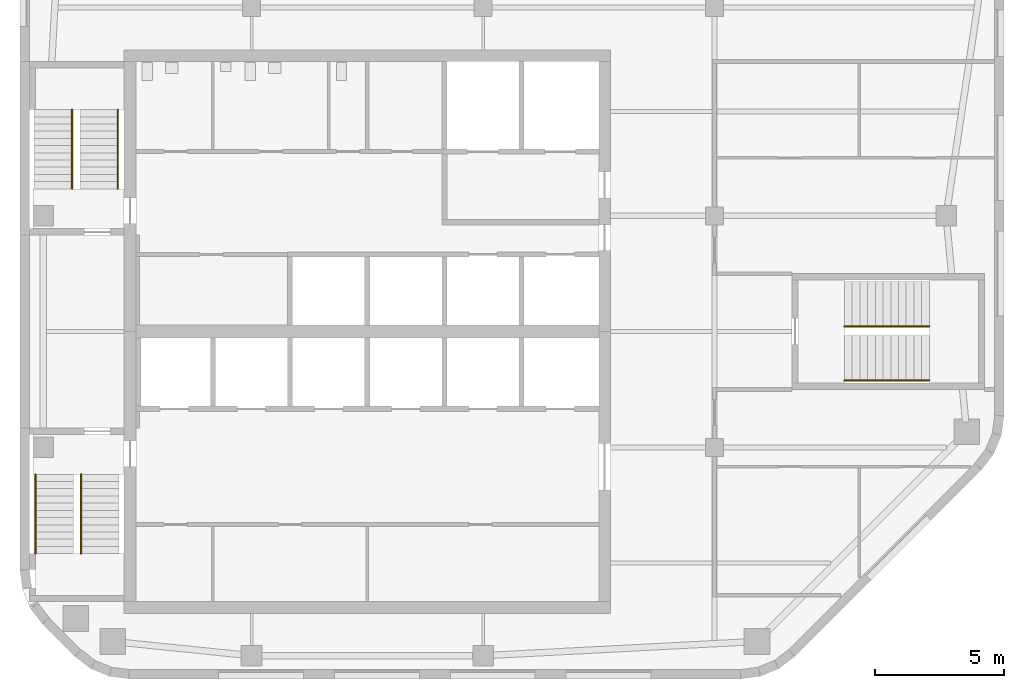
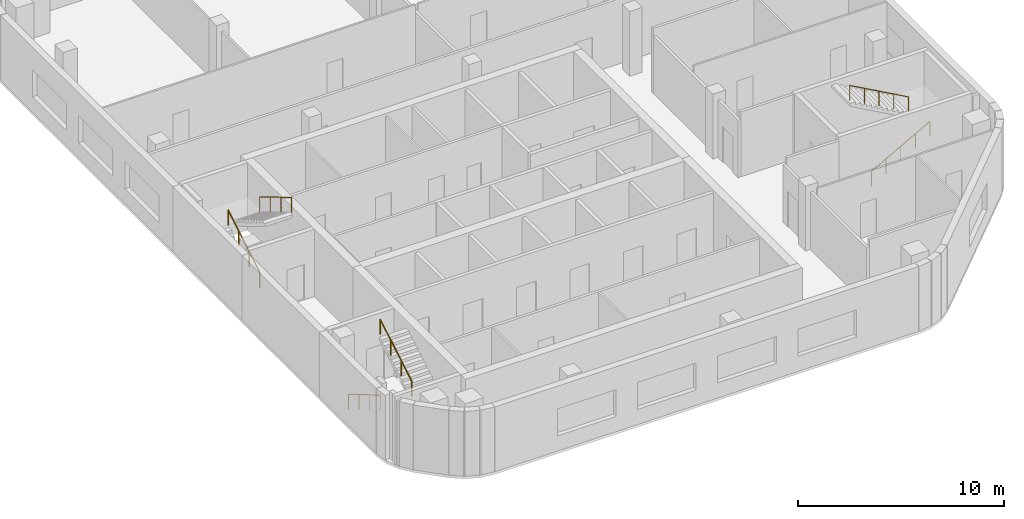
# One storey, part 6 of 7: 6 railings, 3 elements without a shape of their own.
"""IFC4 building model written with IfcOpenShell, lengths in metres."""

from ifc_helpers import new_model, si_unit, direction, frame, origin, origin_2d, place, context, subcontext, project, spatial, circle, extrude, material, type_object, element, aggregate, save


model = new_model("IFC4")

# Units and contexts
model_context = context("Model", 3, precision=1e-05, world=origin(), true_north=direction((0.0, 1.0)))
body_context = subcontext(model_context, "Body", "Model", "MODEL_VIEW")
ifc_project = project(units=[si_unit("LENGTHUNIT", "METRE"), si_unit("AREAUNIT", "SQUARE_METRE"), si_unit("VOLUMEUNIT", "CUBIC_METRE"), si_unit("PLANEANGLEUNIT", "RADIAN"), si_unit("MASSUNIT", "GRAM", prefix="KILO")], contexts=[model_context])

# Site, building, storey
site_placement = place(None, origin())
site = spatial("IfcSite", under=ifc_project, at=site_placement, CompositionType="ELEMENT")
building_placement = place(site_placement, origin())
building = spatial("IfcBuilding", under=site, at=building_placement, Name="Cinnabar Reach Civic Tower", CompositionType="ELEMENT")
storey_placement = place(building_placement, frame((0.0, 0.0, 267.0)))
storey = spatial("IfcBuildingStorey", under=building, at=storey_placement, Name="L64", CompositionType="ELEMENT", Elevation=267.0)

# Stair, railings
ifc_material_1 = material(Name="Concrete C40/50", Category="concrete")
stair_type = type_object("IfcStairType", Name="T1 Exit stair, half-turn", PredefinedType="HALF_TURN_STAIR", material=ifc_material_1)
stair_1_placement = place(storey_placement, origin())
stair_1 = element("IfcStair", 1, at=stair_1_placement, inside=storey, type_object=stair_type, Name="Stair T1-S1", PredefinedType="HALF_TURN_STAIR")
ifc_material_2 = material(Name="Stainless steel tube", Category="steel")
railing_type = type_object("IfcRailingType", Name="T1 Stair handrail, stainless tube 48", PredefinedType="HANDRAIL", material=ifc_material_2)
railing_1_placement = place(storey_placement, frame((0.6, 25.95, 0.1667)))
railing_1 = element("IfcRailing", 2, at=railing_1_placement, type_object=railing_type, Name="T1-S1 handrail 1", PredefinedType="HANDRAIL", context=body_context, shape_type="SweptSolid", body=[
    extrude(circle(Radius=0.024, at=origin_2d()), frame((0.0, 0.0, 0.876), z_axis=(0.0, -0.859296971757, 0.511476992962), x_axis=(1.0, 0.0, 0.0)), (0.0, 0.0, 1.0), 3.5843),
    extrude(circle(Radius=0.021, at=origin_2d()), origin(), (0.0, 0.0, 1.0), 0.852),
    extrude(circle(Radius=0.021, at=origin_2d()), frame((0.0, -1.0267, 0.6111)), (0.0, 0.0, 1.0), 0.852),
    extrude(circle(Radius=0.021, at=origin_2d()), frame((0.0, -2.0533, 1.2222)), (0.0, 0.0, 1.0), 0.852),
    extrude(circle(Radius=0.021, at=origin_2d()), frame((0.0, -3.08, 1.8333)), (0.0, 0.0, 1.0), 0.852),
])
railing_2_placement = place(storey_placement, frame((2.375, 22.87, 2.1667)))
railing_2 = element("IfcRailing", 3, at=railing_2_placement, type_object=railing_type, Name="T1-S1 handrail 2", PredefinedType="HANDRAIL", context=body_context, shape_type="SweptSolid", body=[
    extrude(circle(Radius=0.024, at=origin_2d()), frame((0.0, 0.0, 0.876), z_axis=(0.0, 0.859296971757, 0.511476992962), x_axis=(-1.0, 0.0, 0.0)), (0.0, 0.0, 1.0), 3.5843),
    extrude(circle(Radius=0.021, at=origin_2d()), origin(), (0.0, 0.0, 1.0), 0.852),
    extrude(circle(Radius=0.021, at=origin_2d()), frame((0.0, 1.0267, 0.6111)), (0.0, 0.0, 1.0), 0.852),
    extrude(circle(Radius=0.021, at=origin_2d()), frame((0.0, 2.0533, 1.2222)), (0.0, 0.0, 1.0), 0.852),
    extrude(circle(Radius=0.021, at=origin_2d()), frame((0.0, 3.08, 1.8333)), (0.0, 0.0, 1.0), 0.852),
])
aggregate(stair_1, [railing_1, railing_2])

stair_2_placement = place(storey_placement, origin())
stair_2 = element("IfcStair", 4, at=stair_2_placement, inside=storey, type_object=stair_type, Name="Stair T1-S2", PredefinedType="HALF_TURN_STAIR")
railing_3_placement = place(storey_placement, frame((2.025, 37.05, 0.1667)))
railing_3 = element("IfcRailing", 5, at=railing_3_placement, type_object=railing_type, Name="T1-S2 handrail 1", PredefinedType="HANDRAIL", context=body_context, shape_type="SweptSolid", body=[
    extrude(circle(Radius=0.024, at=origin_2d()), frame((0.0, 0.0, 0.876), z_axis=(0.0, 0.859296971757, 0.511476992962), x_axis=(-1.0, 0.0, 0.0)), (0.0, 0.0, 1.0), 3.5843),
    extrude(circle(Radius=0.021, at=origin_2d()), origin(), (0.0, 0.0, 1.0), 0.852),
    extrude(circle(Radius=0.021, at=origin_2d()), frame((0.0, 1.0267, 0.6111)), (0.0, 0.0, 1.0), 0.852),
    extrude(circle(Radius=0.021, at=origin_2d()), frame((0.0, 2.0533, 1.2222)), (0.0, 0.0, 1.0), 0.852),
    extrude(circle(Radius=0.021, at=origin_2d()), frame((0.0, 3.08, 1.8333)), (0.0, 0.0, 1.0), 0.852),
])
railing_4_placement = place(storey_placement, frame((3.8, 40.13, 2.1667)))
railing_4 = element("IfcRailing", 6, at=railing_4_placement, type_object=railing_type, Name="T1-S2 handrail 2", PredefinedType="HANDRAIL", context=body_context, shape_type="SweptSolid", body=[
    extrude(circle(Radius=0.024, at=origin_2d()), frame((0.0, 0.0, 0.876), z_axis=(0.0, -0.859296971757, 0.511476992962), x_axis=(1.0, 0.0, 0.0)), (0.0, 0.0, 1.0), 3.5843),
    extrude(circle(Radius=0.021, at=origin_2d()), origin(), (0.0, 0.0, 1.0), 0.852),
    extrude(circle(Radius=0.021, at=origin_2d()), frame((0.0, -1.0267, 0.6111)), (0.0, 0.0, 1.0), 0.852),
    extrude(circle(Radius=0.021, at=origin_2d()), frame((0.0, -2.0533, 1.2222)), (0.0, 0.0, 1.0), 0.852),
    extrude(circle(Radius=0.021, at=origin_2d()), frame((0.0, -3.08, 1.8333)), (0.0, 0.0, 1.0), 0.852),
])
aggregate(stair_2, [railing_3, railing_4])

stair_3_placement = place(storey_placement, origin())
stair_3 = element("IfcStair", 7, at=stair_3_placement, inside=storey, type_object=stair_type, Name="Stair T1-S3", PredefinedType="HALF_TURN_STAIR")
railing_5_placement = place(storey_placement, frame((32.05, 29.6, 0.1667)))
railing_5 = element("IfcRailing", 8, at=railing_5_placement, type_object=railing_type, Name="T1-S3 handrail 1", PredefinedType="HANDRAIL", context=body_context, shape_type="SweptSolid", body=[
    extrude(circle(Radius=0.024, at=origin_2d()), frame((0.0, 0.0, 0.876), z_axis=(0.874161024642, 0.0, 0.485636183781), x_axis=(0.0, 1.0, 0.0)), (0.0, 0.0, 1.0), 3.775),
    extrude(circle(Radius=0.021, at=origin_2d()), origin(), (0.0, 0.0, 1.0), 0.852),
    extrude(circle(Radius=0.021, at=origin_2d()), frame((0.825, 0.0, 0.4583)), (0.0, 0.0, 1.0), 0.852),
    extrude(circle(Radius=0.021, at=origin_2d()), frame((1.65, 0.0, 0.9167)), (0.0, 0.0, 1.0), 0.852),
    extrude(circle(Radius=0.021, at=origin_2d()), frame((2.475, 0.0, 1.375)), (0.0, 0.0, 1.0), 0.852),
    extrude(circle(Radius=0.021, at=origin_2d()), frame((3.3, 0.0, 1.8333)), (0.0, 0.0, 1.0), 0.852),
])
railing_6_placement = place(storey_placement, frame((35.35, 31.7, 2.1667)))
railing_6 = element("IfcRailing", 9, at=railing_6_placement, type_object=railing_type, Name="T1-S3 handrail 2", PredefinedType="HANDRAIL", context=body_context, shape_type="SweptSolid", body=[
    extrude(circle(Radius=0.024, at=origin_2d()), frame((0.0, 0.0, 0.876), z_axis=(-0.874161024642, 0.0, 0.485636183781), x_axis=(0.0, -1.0, 0.0)), (0.0, 0.0, 1.0), 3.775),
    extrude(circle(Radius=0.021, at=origin_2d()), origin(), (0.0, 0.0, 1.0), 0.852),
    extrude(circle(Radius=0.021, at=origin_2d()), frame((-0.825, 0.0, 0.4583)), (0.0, 0.0, 1.0), 0.852),
    extrude(circle(Radius=0.021, at=origin_2d()), frame((-1.65, 0.0, 0.9167)), (0.0, 0.0, 1.0), 0.852),
    extrude(circle(Radius=0.021, at=origin_2d()), frame((-2.475, 0.0, 1.375)), (0.0, 0.0, 1.0), 0.852),
    extrude(circle(Radius=0.021, at=origin_2d()), frame((-3.3, 0.0, 1.8333)), (0.0, 0.0, 1.0), 0.852),
])
aggregate(stair_3, [railing_5, railing_6])

save(model, "model.ifc")
